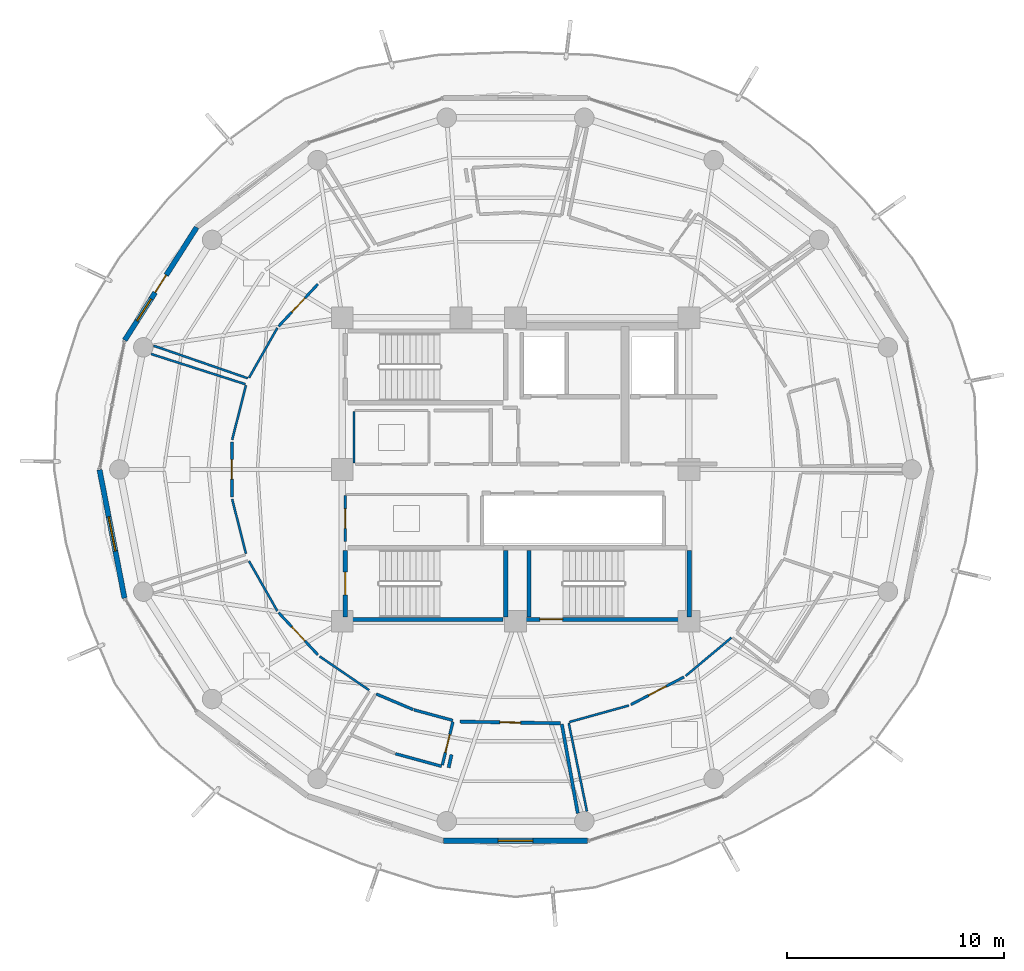
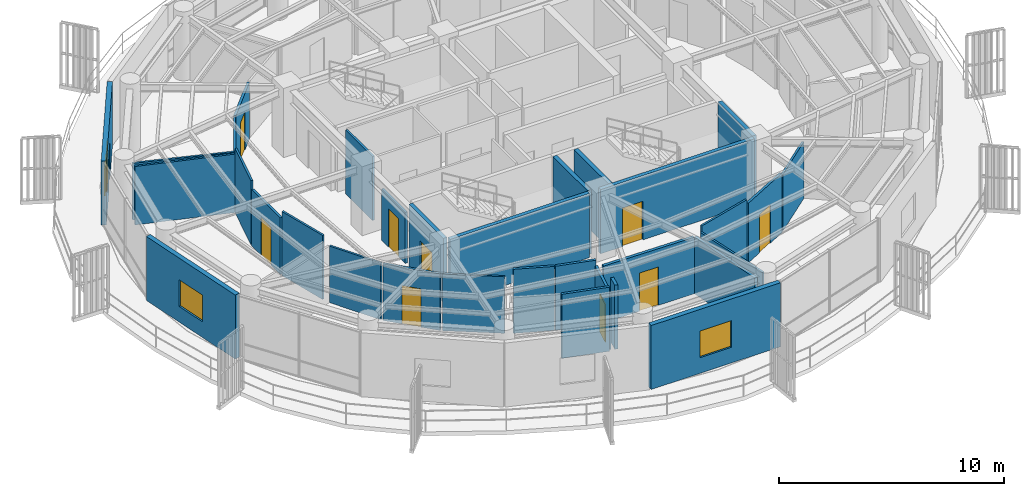
# One storey, part 17 of 24: 32 walls, 10 doors, 3 windows, 13 openings.
"""IFC4 building model written with IfcOpenShell, lengths in metres."""

from ifc_helpers import new_model, si_unit, direction, frame, frame_2d, origin, place, context, subcontext, project, spatial, rectangle, extrude, material, layer, layer_set, type_object, element, fill, save


model = new_model("IFC4")

# Units and contexts
model_context = context("Model", 3, precision=1e-05, world=origin(), true_north=direction((0.0, 1.0)))
body_context = subcontext(model_context, "Body", "Model", "MODEL_VIEW")
ifc_project = project(units=[si_unit("LENGTHUNIT", "METRE"), si_unit("AREAUNIT", "SQUARE_METRE"), si_unit("VOLUMEUNIT", "CUBIC_METRE"), si_unit("PLANEANGLEUNIT", "RADIAN"), si_unit("MASSUNIT", "GRAM", prefix="KILO")], contexts=[model_context])

# Site, building, storey
site_placement = place(None, origin())
site = spatial("IfcSite", under=ifc_project, at=site_placement, CompositionType="ELEMENT")
building_placement = place(site_placement, origin())
building = spatial("IfcBuilding", under=site, at=building_placement, Name="Kelanora Arch Commons", CompositionType="ELEMENT")
storey_placement = place(building_placement, frame((0.0, 0.0, 248.699951171875)))
storey = spatial("IfcBuildingStorey", under=building, at=storey_placement, Name="L63", CompositionType="ELEMENT", Elevation=248.699951171875)

# Wall, opening, door
ifc_material_1 = material(Name="Autoclaved aerated concrete blockwork with fire plaster", Category="masonry")
ifc_layer_1 = layer(ifc_material_1, 0.14990234375)
ifc_layer_set_1 = layer_set([ifc_layer_1], Name="Autoclaved aerated concrete blockwork with fire plaster")
wall_type_1 = type_object("IfcWallType", Name="W-COMP-150", PredefinedType="PARTITIONING", material=ifc_layer_set_1)
wall_1_placement = place(storey_placement, frame((71.44189453125, 46.365966796875, 0.0), z_axis=(0.0, 0.0, 1.0), x_axis=(0.99985475278, -0.017043278545, 0.0)))
wall_1 = element("IfcWall", 1, at=wall_1_placement, inside=storey, type_object=wall_type_1, Name="Co-Living Studio L63-07 Entry Partition", PredefinedType="PARTITIONING", context=body_context, shape_type="SweptSolid", body=[
    extrude(rectangle(XDim=4.626953125, YDim=0.14990234375, at=frame_2d((2.3134765625, 0.0))), origin(), (0.0, 0.0, 1.0), 3.074951171875),
])
opening_1_placement = place(wall_1_placement, frame((1.837890625, 0.0, 0.0)))
opening_1 = element("IfcOpeningElement", 2, at=opening_1_placement, cuts=wall_1, Name="Opening D-CLU1", PredefinedType="OPENING", context=body_context, shape_type="SweptSolid", body=[
    extrude(rectangle(XDim=0.949951171875, YDim=2.080078125, at=frame_2d((0.47509765625, 1.0400390625))), frame((0.0, 0.0849609375, 0.0), z_axis=(0.0, -1.0, 0.0), x_axis=(1.0, 0.0, 0.0)), (0.0, 0.0, 1.0), 0.169921875),
])
ifc_material_2 = material(Name="Solid-core acoustic timber cluster entry fire door", Category="wood")
door_type_1 = type_object("IfcDoorType", Name="D-CLU-95", OperationType="NOTDEFINED", PredefinedType="DOOR", material=ifc_material_2)
door_1_placement = place(opening_1_placement, origin())
door_1 = element("IfcDoor", 3, at=door_1_placement, inside=storey, type_object=door_type_1, Name="Co-Living Studio L63-07 Door", OperationType="SINGLE_SWING_LEFT", OverallHeight=2.080078125, OverallWidth=0.949951171875, PredefinedType="DOOR", context=body_context, shape_type="SweptSolid", body=[
    extrude(rectangle(XDim=0.949951171875, YDim=2.080078125, at=frame_2d((0.47509765625, 1.0400390625))), frame((0.0, 0.02490234375, 0.0), z_axis=(0.0, -1.0, 0.0), x_axis=(1.0, 0.0, 0.0)), (0.0, 0.0, 1.0), 0.050048828125),
])
fill(opening_1, door_1)

# Walls
wall_2_placement = place(storey_placement, frame((76.135009765625, 46.24658203125, 0.0), z_axis=(0.0, 0.0, 1.0), x_axis=(0.176199339585, -0.984354505618, 0.0)))
element("IfcWall", 4, at=wall_2_placement, inside=storey, type_object=wall_type_1, Name="Co-Living Studio L63-07 Enclosure Partition 2", PredefinedType="PARTITIONING", context=body_context, shape_type="SweptSolid", body=[
    extrude(rectangle(XDim=4.17626953125, YDim=0.14990234375, at=frame_2d((2.088134765625, 0.0))), origin(), (0.0, 0.0, 1.0), 3.074951171875),
])
wall_3_placement = place(storey_placement, frame((70.91064453125, 44.239990234375, 0.0), z_axis=(0.0, 0.0, 1.0), x_axis=(0.216216290924, 0.976345489844, 0.0)))
element("IfcWall", 5, at=wall_3_placement, inside=storey, type_object=wall_type_1, Name="Co-Living Studio L63-07 Enclosure Partition 7", PredefinedType="PARTITIONING", context=body_context, shape_type="SweptSolid", body=[
    extrude(rectangle(XDim=0.615478515625, YDim=0.14990234375, at=frame_2d((0.3076171875, 0.0))), origin(), (0.0, 0.0, 1.0), 3.47998046875),
])

# Wall, openings, door, window
ifc_material_3 = material(Name="Precast concrete C40/50 upper-zone terracotta rainscreen", Category="masonry")
ifc_layer_2 = layer(ifc_material_3, 0.239990234375)
ifc_layer_set_2 = layer_set([ifc_layer_2], Name="Precast concrete C40/50 upper-zone terracotta rainscreen")
wall_type_2 = type_object("IfcWallType", Name="W-EXT-TC2", PredefinedType="SOLIDWALL", material=ifc_layer_set_2)
wall_4_placement = place(storey_placement, frame((59.28369140625, 69.171875, 0.0), z_axis=(0.0, 0.0, 1.0), x_axis=(-0.537271968456, -0.843409053728, 0.0)))
wall_4 = element("IfcWall", 6, at=wall_4_placement, inside=storey, type_object=wall_type_2, Name="Terracotta Exterior Wall L63-B07", PredefinedType="SOLIDWALL", context=body_context, shape_type="SweptSolid", body=[
    extrude(rectangle(XDim=6.175048828125, YDim=0.239990234375, at=frame_2d((3.08740234375, 0.0))), origin(), (0.0, 0.0, 1.0), 3.47509765625),
])
opening_2_placement = place(wall_4_placement, frame((2.613037109375, 0.0, 0.0)))
opening_2 = element("IfcOpeningElement", 7, at=opening_2_placement, cuts=wall_4, Name="Opening DB-01", PredefinedType="OPENING", context=body_context, shape_type="SweptSolid", body=[
    extrude(rectangle(XDim=0.949951171875, YDim=2.10009765625, at=frame_2d((0.47509765625, 1.050048828125))), frame((0.0, 0.1298828125, 0.0), z_axis=(0.0, -1.0, 0.0), x_axis=(1.0, 0.0, 0.0)), (0.0, 0.0, 1.0), 0.260009765625),
])
opening_3_placement = place(wall_4_placement, frame((3.9130859375, 0.0, 0.85009765625)))
opening_3 = element("IfcOpeningElement", 8, at=opening_3_placement, cuts=wall_4, Name="Opening WN-02", PredefinedType="OPENING", context=body_context, shape_type="SweptSolid", body=[
    extrude(rectangle(XDim=1.199951171875, YDim=1.449951171875, at=frame_2d((0.60009765625, 0.72509765625))), frame((0.0, 0.1298828125, 0.0), z_axis=(0.0, -1.0, 0.0), x_axis=(1.0, 0.0, 0.0)), (0.0, 0.0, 1.0), 0.260009765625),
])
ifc_material_4 = material(Name="Terracotta-aluminium thermally broken glazed balcony door", Category="masonry")
door_type_2 = type_object("IfcDoorType", Name="D-BAL-10", OperationType="NOTDEFINED", PredefinedType="DOOR", material=ifc_material_4)
door_2_placement = place(opening_2_placement, frame((0.949951171875, 0.0, 0.0), z_axis=(0.0, 0.0, 1.0), x_axis=(-1.0, 0.0, 0.0)))
door_2 = element("IfcDoor", 9, at=door_2_placement, inside=storey, type_object=door_type_2, Name="Wave Balcony Door L63-B07", OperationType="SINGLE_SWING_LEFT", OverallHeight=2.10009765625, OverallWidth=0.949951171875, PredefinedType="DOOR", context=body_context, shape_type="SweptSolid", body=[
    extrude(rectangle(XDim=0.949951171875, YDim=2.10009765625, at=frame_2d((0.47509765625, 1.050048828125))), frame((0.0, 0.02490234375, 0.0), z_axis=(0.0, -1.0, 0.0), x_axis=(1.0, 0.0, 0.0)), (0.0, 0.0, 1.0), 0.050048828125),
])
fill(opening_2, door_2)
ifc_material_5 = material(Name="Terracotta-anodised aluminium frame with operable awning sash", Category="masonry")
window_type_1 = type_object("IfcWindowType", Name="WIN-CL-12", PartitioningType="SINGLE_PANEL", PredefinedType="WINDOW", material=ifc_material_5)
window_1_placement = place(opening_3_placement, origin())
window_1 = element("IfcWindow", 10, at=window_1_placement, inside=storey, type_object=window_type_1, Name="Co-Living Operable Window L63-B07", OverallHeight=1.449951171875, OverallWidth=1.199951171875, PartitioningType="SINGLE_PANEL", PredefinedType="WINDOW", context=body_context, shape_type="SweptSolid", body=[
    extrude(rectangle(XDim=1.199951171875, YDim=1.449951171875, at=frame_2d((0.60009765625, 0.72509765625))), frame((0.0, 0.030029296875, 0.0), z_axis=(0.0, -1.0, 0.0), x_axis=(1.0, 0.0, 0.0)), (0.0, 0.0, 1.0), 0.06005859375),
])
fill(opening_3, window_1)

# Wall, opening, window
wall_5_placement = place(storey_placement, frame((54.802978515625, 57.9853515625, 0.0), z_axis=(0.0, 0.0, 1.0), x_axis=(0.190969309115, -0.981596008028, 0.0)))
wall_5 = element("IfcWall", 11, at=wall_5_placement, inside=storey, type_object=wall_type_2, Name="Terracotta Exterior Wall L63-B09", PredefinedType="SOLIDWALL", context=body_context, shape_type="SweptSolid", body=[
    extrude(rectangle(XDim=6.032958984375, YDim=0.239990234375, at=frame_2d((3.0166015625, 0.0))), origin(), (0.0, 0.0, 1.0), 3.47509765625),
])
opening_4_placement = place(wall_5_placement, frame((2.216064453125, 0.0, 0.85009765625)))
opening_4 = element("IfcOpeningElement", 12, at=opening_4_placement, cuts=wall_5, Name="Opening WN-01", PredefinedType="OPENING", context=body_context, shape_type="SweptSolid", body=[
    extrude(rectangle(XDim=1.60009765625, YDim=1.449951171875, at=frame_2d((0.800048828125, 0.72509765625))), frame((0.0, 0.1298828125, 0.0), z_axis=(0.0, -1.0, 0.0), x_axis=(1.0, 0.0, 0.0)), (0.0, 0.0, 1.0), 0.260009765625),
])
ifc_material_6 = material(Name="Terracotta-anodised aluminium frame with operable low-E glazing", Category="masonry")
window_type_2 = type_object("IfcWindowType", Name="WIN-CL-18", PartitioningType="DOUBLE_PANEL_VERTICAL", PredefinedType="WINDOW", material=ifc_material_6)
window_2_placement = place(opening_4_placement, origin())
window_2 = element("IfcWindow", 13, at=window_2_placement, inside=storey, type_object=window_type_2, Name="Co-Living Operable Window L63-B09", OverallHeight=1.449951171875, OverallWidth=1.60009765625, PartitioningType="SINGLE_PANEL", PredefinedType="WINDOW", context=body_context, shape_type="SweptSolid", body=[
    extrude(rectangle(XDim=1.60009765625, YDim=1.449951171875, at=frame_2d((0.800048828125, 0.72509765625))), frame((0.0, 0.030029296875, 0.0), z_axis=(0.0, -1.0, 0.0), x_axis=(1.0, 0.0, 0.0)), (0.0, 0.0, 1.0), 0.06005859375),
])
fill(opening_4, window_2)

wall_6_placement = place(storey_placement, frame((70.680908203125, 40.8642578125, 0.0), z_axis=(0.0, 0.0, 1.0), x_axis=(1.0, 0.0, 0.0)))
wall_6 = element("IfcWall", 14, at=wall_6_placement, inside=storey, type_object=wall_type_2, Name="Terracotta Exterior Wall L63-B13", PredefinedType="SOLIDWALL", context=body_context, shape_type="SweptSolid", body=[
    extrude(rectangle(XDim=6.63818359375, YDim=0.239990234375, at=frame_2d((3.319091796875, 0.0))), origin(), (0.0, 0.0, 1.0), 3.47509765625),
])
opening_5_placement = place(wall_6_placement, frame((2.51904296875, 0.0, 0.85009765625)))
opening_5 = element("IfcOpeningElement", 15, at=opening_5_placement, cuts=wall_6, Name="Opening WN-01", PredefinedType="OPENING", context=body_context, shape_type="SweptSolid", body=[
    extrude(rectangle(XDim=1.60009765625, YDim=1.449951171875, at=frame_2d((0.800048828125, 0.72509765625))), frame((0.0, 0.1298828125, 0.0), z_axis=(0.0, -1.0, 0.0), x_axis=(1.0, 0.0, 0.0)), (0.0, 0.0, 1.0), 0.260009765625),
])
window_3_placement = place(opening_5_placement, origin())
window_3 = element("IfcWindow", 16, at=window_3_placement, inside=storey, type_object=window_type_2, Name="Co-Living Operable Window L63-B13", OverallHeight=1.449951171875, OverallWidth=1.60009765625, PartitioningType="SINGLE_PANEL", PredefinedType="WINDOW", context=body_context, shape_type="SweptSolid", body=[
    extrude(rectangle(XDim=1.60009765625, YDim=1.449951171875, at=frame_2d((0.800048828125, 0.72509765625))), frame((0.0, 0.030029296875, 0.0), z_axis=(0.0, -1.0, 0.0), x_axis=(1.0, 0.0, 0.0)), (0.0, 0.0, 1.0), 0.06005859375),
])
fill(opening_5, window_3)

# Walls
ifc_material_7 = material(Name="Lightweight fire-rated acoustic stud partition")
ifc_layer_3 = layer(ifc_material_7, 0.10009765625)
ifc_layer_set_3 = layer_set([ifc_layer_3], Name="Lightweight fire-rated acoustic stud partition")
wall_type_3 = type_object("IfcWallType", Name="W-PART-100", PredefinedType="PARTITIONING", material=ifc_layer_set_3)
wall_7_placement = place(storey_placement, frame((66.550048828125, 60.679931640625, 0.0), z_axis=(0.0, 0.0, 1.0), x_axis=(0.0, -1.0, 0.0)))
element("IfcWall", 17, at=wall_7_placement, inside=storey, type_object=wall_type_3, Name="Reclaimed Core Quiet Phone Booths L63 Enclosure Partition 4", PredefinedType="PARTITIONING", context=body_context, shape_type="SweptSolid", body=[
    extrude(rectangle(XDim=2.389892578125, YDim=0.10009765625, at=frame_2d((1.19482421875, 0.0))), origin(), (0.0, 0.0, 1.0), 3.47998046875),
])
wall_8_placement = place(storey_placement, frame((63.006103515625, 64.5283203125, 0.0), z_axis=(0.0, 0.0, 1.0), x_axis=(-0.494277588427, -0.869304127207, 0.0)))
element("IfcWall", 18, at=wall_8_placement, inside=storey, type_object=wall_type_3, Name="Communal Dining and Social Hall L63-04 Enclosure Partition 3", PredefinedType="PARTITIONING", context=body_context, shape_type="SweptSolid", body=[
    extrude(rectangle(XDim=2.64306640625, YDim=0.10009765625, at=frame_2d((1.321533203125, 0.0))), origin(), (0.0, 0.0, 1.0), 3.074951171875),
])
wall_9_placement = place(storey_placement, frame((61.64208984375, 62.208984375, 0.0), z_axis=(0.0, 0.0, 1.0), x_axis=(-0.945103281494, 0.326771766388, 0.0)))
element("IfcWall", 19, at=wall_9_placement, inside=storey, type_object=wall_type_3, Name="Communal Dining and Social Hall L63-04 Enclosure Partition 4", PredefinedType="PARTITIONING", context=body_context, shape_type="SweptSolid", body=[
    extrude(rectangle(XDim=4.603759765625, YDim=0.10009765625, at=frame_2d((2.3017578125, 0.0))), origin(), (0.0, 0.0, 1.0), 3.074951171875),
])
for number, where, z_axis, x_axis, name in (
    (20, (61.560302734375, 61.88427734375, 0.0), (0.0, 0.0, 1.0), (-0.245655775867, -0.969357127061, 0.0), "Social Sky Lounge L63-05 Enclosure Partition 1"),
    (21, (60.9228515625, 56.631103515625, 0.0), (0.0, 0.0, 1.0), (0.245655775867, -0.969357127061, 0.0), "Social Sky Lounge L63-05 Enclosure Partition 3"),
):
    element("IfcWall", number, at=place(storey_placement, frame(where, z_axis=z_axis, x_axis=x_axis)), inside=storey, type_object=wall_type_3, Name=name, PredefinedType="PARTITIONING", context=body_context, shape_type="SweptSolid", body=[
        extrude(rectangle(XDim=2.594970703125, YDim=0.10009765625, at=frame_2d((1.29736328125, 0.0))), origin(), (0.0, 0.0, 1.0), 3.47998046875),
    ])
wall_10_placement = place(storey_placement, frame((57.184326171875, 63.328857421875, 0.0), z_axis=(0.0, 0.0, 1.0), x_axis=(0.95227750557, -0.305233602976, 0.0)))
element("IfcWall", 22, at=wall_10_placement, inside=storey, type_object=wall_type_3, Name="Social Sky Lounge L63-05 Enclosure Partition 8", PredefinedType="PARTITIONING", context=body_context, shape_type="SweptSolid", body=[
    extrude(rectangle(XDim=4.5654296875, YDim=0.10009765625, at=frame_2d((2.28271484375, 0.0))), origin(), (0.0, 0.0, 1.0), 3.175048828125),
])
wall_11_placement = place(storey_placement, frame((61.69970703125, 53.769287109375, 0.0), z_axis=(0.0, 0.0, 1.0), x_axis=(0.494277588427, -0.869304127207, 0.0)))
element("IfcWall", 23, at=wall_11_placement, inside=storey, type_object=wall_type_3, Name="Quiet Seminar Study Room L63-06 Enclosure Partition 1", PredefinedType="PARTITIONING", context=body_context, shape_type="SweptSolid", body=[
    extrude(rectangle(XDim=2.64306640625, YDim=0.10009765625, at=frame_2d((1.321533203125, 0.0))), origin(), (0.0, 0.0, 1.0), 3.074951171875),
])
wall_12_placement = place(storey_placement, frame((64.9560546875, 49.37646484375, 0.0), z_axis=(0.0, 0.0, 1.0), x_axis=(0.826087380575, -0.563542047814, 0.0)))
element("IfcWall", 24, at=wall_12_placement, inside=storey, type_object=wall_type_3, Name="Quiet Seminar Study Room L63-06 Enclosure Partition 3", PredefinedType="PARTITIONING", context=body_context, shape_type="SweptSolid", body=[
    extrude(rectangle(XDim=2.768310546875, YDim=0.10009765625, at=frame_2d((1.38427734375, 0.0))), origin(), (0.0, 0.0, 1.0), 3.074951171875),
])
wall_13_placement = place(storey_placement, frame((76.4833984375, 46.3466796875, 0.0), z_axis=(0.0, 0.0, 1.0), x_axis=(0.963478601256, 0.267785333659, 0.0)))
element("IfcWall", 25, at=wall_13_placement, inside=storey, type_object=wall_type_3, Name="Communal Dining and Social Hall L63-08 Enclosure Partition 1", PredefinedType="PARTITIONING", context=body_context, shape_type="SweptSolid", body=[
    extrude(rectangle(XDim=2.84814453125, YDim=0.10009765625, at=frame_2d((1.424072265625, 0.0))), origin(), (0.0, 0.0, 1.0), 3.47998046875),
])
wall_14_placement = place(storey_placement, frame((81.851806640625, 48.4755859375, 0.0), z_axis=(0.0, 0.0, 1.0), x_axis=(0.767022676895, 0.641619991216, 0.0)))
element("IfcWall", 26, at=wall_14_placement, inside=storey, type_object=wall_type_3, Name="Communal Dining and Social Hall L63-08 Enclosure Partition 3", PredefinedType="PARTITIONING", context=body_context, shape_type="SweptSolid", body=[
    extrude(rectangle(XDim=2.7412109375, YDim=0.10009765625, at=frame_2d((1.37060546875, 0.0))), origin(), (0.0, 0.0, 1.0), 3.074951171875),
])
wall_15_placement = place(storey_placement, frame((77.293212890625, 42.230224609375, 0.0), z_axis=(0.0, 0.0, 1.0), x_axis=(-0.202308141573, 0.979321916355, 0.0)))
element("IfcWall", 27, at=wall_15_placement, inside=storey, type_object=wall_type_3, Name="Communal Dining and Social Hall L63-08 Enclosure Partition 8", PredefinedType="PARTITIONING", context=body_context, shape_type="SweptSolid", body=[
    extrude(rectangle(XDim=4.152587890625, YDim=0.10009765625, at=frame_2d((2.076171875, 0.0))), origin(), (0.0, 0.0, 1.0), 3.175048828125),
])

# Wall, opening, door
ifc_material_8 = material(Name="Acoustic twin-stud fire-rated gypsum partition")
ifc_layer_4 = layer(ifc_material_8, 0.1201171875)
ifc_layer_set_4 = layer_set([ifc_layer_4], Name="Acoustic twin-stud fire-rated gypsum partition")
wall_type_4 = type_object("IfcWallType", Name="W-PART-120", PredefinedType="PARTITIONING", material=ifc_layer_set_4)
wall_16_placement = place(storey_placement, frame((66.14990234375, 54.679931640625, 0.0), z_axis=(0.0, 0.0, 1.0), x_axis=(0.0, 1.0, 0.0)))
wall_16 = element("IfcWall", 28, at=wall_16_placement, inside=storey, type_object=wall_type_4, Name="Reclaimed Core High-Zone Pantry and Copy Room L63 Entry Partition", PredefinedType="PARTITIONING", context=body_context, shape_type="SweptSolid", body=[
    extrude(rectangle(XDim=2.110107421875, YDim=0.1201171875, at=frame_2d((1.05517578125, 0.0))), origin(), (0.0, 0.0, 1.0), 2.775146484375),
])
opening_6_placement = place(wall_16_placement, frame((0.60498046875, 0.0, 0.0)))
opening_6 = element("IfcOpeningElement", 29, at=opening_6_placement, cuts=wall_16, Name="Opening D-RM1", PredefinedType="OPENING", context=body_context, shape_type="SweptSolid", body=[
    extrude(rectangle(XDim=0.89990234375, YDim=2.080078125, at=frame_2d((0.449951171875, 1.0400390625))), frame((0.0, 0.070068359375, 0.0), z_axis=(0.0, -1.0, 0.0), x_axis=(1.0, 0.0, 0.0)), (0.0, 0.0, 1.0), 0.14013671875),
])
ifc_material_9 = material(Name="Acoustic fire-rated timber study and lounge door", Category="wood")
door_type_3 = type_object("IfcDoorType", Name="D-ROOM-90", OperationType="NOTDEFINED", PredefinedType="DOOR", material=ifc_material_9)
door_3_placement = place(opening_6_placement, origin())
door_3 = element("IfcDoor", 30, at=door_3_placement, inside=storey, type_object=door_type_3, Name="Reclaimed Core High-Zone Pantry and Copy Room L63 Door", OperationType="SINGLE_SWING_RIGHT", OverallHeight=2.080078125, OverallWidth=0.89990234375, PredefinedType="DOOR", context=body_context, shape_type="SweptSolid", body=[
    extrude(rectangle(XDim=0.89990234375, YDim=2.080078125, at=frame_2d((0.449951171875, 1.0400390625))), frame((0.0, 0.02490234375, 0.0), z_axis=(0.0, -1.0, 0.0), x_axis=(1.0, 0.0, 0.0)), (0.0, 0.0, 1.0), 0.050048828125),
])
fill(opening_6, door_3)

wall_17_placement = place(storey_placement, frame((64.882080078125, 66.55712890625, 0.0), z_axis=(0.0, 0.0, 1.0), x_axis=(-0.681315269885, -0.731990097625, 0.0)))
wall_17 = element("IfcWall", 31, at=wall_17_placement, inside=storey, type_object=wall_type_4, Name="Communal Dining and Social Hall L63-04 Entry Partition", PredefinedType="PARTITIONING", context=body_context, shape_type="SweptSolid", body=[
    extrude(rectangle(XDim=2.664306640625, YDim=0.1201171875, at=frame_2d((1.33203125, 0.0))), origin(), (0.0, 0.0, 1.0), 3.074951171875),
])
opening_7_placement = place(wall_17_placement, frame((0.882080078125, 0.0, 0.0)))
opening_7 = element("IfcOpeningElement", 32, at=opening_7_placement, cuts=wall_17, Name="Opening D-RM1", PredefinedType="OPENING", context=body_context, shape_type="SweptSolid", body=[
    extrude(rectangle(XDim=0.89990234375, YDim=2.080078125, at=frame_2d((0.449951171875, 1.0400390625))), frame((0.0, 0.070068359375, 0.0), z_axis=(0.0, -1.0, 0.0), x_axis=(1.0, 0.0, 0.0)), (0.0, 0.0, 1.0), 0.14013671875),
])
door_4_placement = place(opening_7_placement, origin())
door_4 = element("IfcDoor", 33, at=door_4_placement, inside=storey, type_object=door_type_3, Name="Communal Dining and Social Hall L63-04 Door", OperationType="SINGLE_SWING_LEFT", OverallHeight=2.080078125, OverallWidth=0.89990234375, PredefinedType="DOOR", context=body_context, shape_type="SweptSolid", body=[
    extrude(rectangle(XDim=0.89990234375, YDim=2.080078125, at=frame_2d((0.449951171875, 1.0400390625))), frame((0.0, 0.02490234375, 0.0), z_axis=(0.0, -1.0, 0.0), x_axis=(1.0, 0.0, 0.0)), (0.0, 0.0, 1.0), 0.050048828125),
])
fill(opening_7, door_4)

wall_18_placement = place(storey_placement, frame((60.9130859375, 59.27001953125, 0.0), z_axis=(0.0, 0.0, 1.0), x_axis=(0.0, -1.0, 0.0)))
wall_18 = element("IfcWall", 34, at=wall_18_placement, inside=storey, type_object=wall_type_4, Name="Social Sky Lounge L63-05 Entry Partition", PredefinedType="PARTITIONING", context=body_context, shape_type="SweptSolid", body=[
    extrude(rectangle(XDim=2.5400390625, YDim=0.1201171875, at=frame_2d((1.27001953125, 0.0))), origin(), (0.0, 0.0, 1.0), 3.074951171875),
])
opening_8_placement = place(wall_18_placement, frame((0.820068359375, 0.0, 0.0)))
opening_8 = element("IfcOpeningElement", 35, at=opening_8_placement, cuts=wall_18, Name="Opening D-RM1", PredefinedType="OPENING", context=body_context, shape_type="SweptSolid", body=[
    extrude(rectangle(XDim=0.89990234375, YDim=2.080078125, at=frame_2d((0.449951171875, 1.0400390625))), frame((0.0, 0.070068359375, 0.0), z_axis=(0.0, -1.0, 0.0), x_axis=(1.0, 0.0, 0.0)), (0.0, 0.0, 1.0), 0.14013671875),
])
door_5_placement = place(opening_8_placement, origin())
door_5 = element("IfcDoor", 36, at=door_5_placement, inside=storey, type_object=door_type_3, Name="Social Sky Lounge L63-05 Door", OperationType="SINGLE_SWING_RIGHT", OverallHeight=2.080078125, OverallWidth=0.89990234375, PredefinedType="DOOR", context=body_context, shape_type="SweptSolid", body=[
    extrude(rectangle(XDim=0.89990234375, YDim=2.080078125, at=frame_2d((0.449951171875, 1.0400390625))), frame((0.0, 0.02490234375, 0.0), z_axis=(0.0, -1.0, 0.0), x_axis=(1.0, 0.0, 0.0)), (0.0, 0.0, 1.0), 0.050048828125),
])
fill(opening_8, door_5)

wall_19_placement = place(storey_placement, frame((63.06689453125, 51.39306640625, 0.0), z_axis=(0.0, 0.0, 1.0), x_axis=(0.681315269885, -0.731990097625, 0.0)))
wall_19 = element("IfcWall", 37, at=wall_19_placement, inside=storey, type_object=wall_type_4, Name="Quiet Seminar Study Room L63-06 Entry Partition", PredefinedType="PARTITIONING", context=body_context, shape_type="SweptSolid", body=[
    extrude(rectangle(XDim=2.664306640625, YDim=0.1201171875, at=frame_2d((1.33203125, 0.0))), origin(), (0.0, 0.0, 1.0), 3.074951171875),
])
opening_9_placement = place(wall_19_placement, frame((0.882080078125, 0.0, 0.0)))
opening_9 = element("IfcOpeningElement", 38, at=opening_9_placement, cuts=wall_19, Name="Opening D-RM1", PredefinedType="OPENING", context=body_context, shape_type="SweptSolid", body=[
    extrude(rectangle(XDim=0.89990234375, YDim=2.080078125, at=frame_2d((0.449951171875, 1.0400390625))), frame((0.0, 0.070068359375, 0.0), z_axis=(0.0, -1.0, 0.0), x_axis=(1.0, 0.0, 0.0)), (0.0, 0.0, 1.0), 0.14013671875),
])
door_6_placement = place(opening_9_placement, origin())
door_6 = element("IfcDoor", 39, at=door_6_placement, inside=storey, type_object=door_type_3, Name="Quiet Seminar Study Room L63-06 Door", OperationType="SINGLE_SWING_LEFT", OverallHeight=2.080078125, OverallWidth=0.89990234375, PredefinedType="DOOR", context=body_context, shape_type="SweptSolid", body=[
    extrude(rectangle(XDim=0.89990234375, YDim=2.080078125, at=frame_2d((0.449951171875, 1.0400390625))), frame((0.0, 0.02490234375, 0.0), z_axis=(0.0, -1.0, 0.0), x_axis=(1.0, 0.0, 0.0)), (0.0, 0.0, 1.0), 0.050048828125),
])
fill(opening_9, door_6)

wall_20_placement = place(storey_placement, frame((79.319091796875, 47.147705078125, 0.0), z_axis=(0.0, 0.0, 1.0), x_axis=(0.887021247279, 0.461728607382, 0.0)))
wall_20 = element("IfcWall", 40, at=wall_20_placement, inside=storey, type_object=wall_type_4, Name="Communal Dining and Social Hall L63-08 Entry Partition", PredefinedType="PARTITIONING", context=body_context, shape_type="SweptSolid", body=[
    extrude(rectangle(XDim=2.7607421875, YDim=0.1201171875, at=frame_2d((1.38037109375, 0.0))), origin(), (0.0, 0.0, 1.0), 3.235107421875),
])
opening_10_placement = place(wall_20_placement, frame((0.929931640625, 0.0, 0.0)))
opening_10 = element("IfcOpeningElement", 41, at=opening_10_placement, cuts=wall_20, Name="Opening D-RM1", PredefinedType="OPENING", context=body_context, shape_type="SweptSolid", body=[
    extrude(rectangle(XDim=0.89990234375, YDim=2.080078125, at=frame_2d((0.449951171875, 1.0400390625))), frame((0.0, 0.070068359375, 0.0), z_axis=(0.0, -1.0, 0.0), x_axis=(1.0, 0.0, 0.0)), (0.0, 0.0, 1.0), 0.14013671875),
])
door_7_placement = place(opening_10_placement, origin())
door_7 = element("IfcDoor", 42, at=door_7_placement, inside=storey, type_object=door_type_3, Name="Communal Dining and Social Hall L63-08 Door", OperationType="SINGLE_SWING_RIGHT", OverallHeight=2.080078125, OverallWidth=0.89990234375, PredefinedType="DOOR", context=body_context, shape_type="SweptSolid", body=[
    extrude(rectangle(XDim=0.89990234375, YDim=2.080078125, at=frame_2d((0.449951171875, 1.0400390625))), frame((0.0, 0.02490234375, 0.0), z_axis=(0.0, -1.0, 0.0), x_axis=(1.0, 0.0, 0.0)), (0.0, 0.0, 1.0), 0.050048828125),
])
fill(opening_10, door_7)

ifc_material_10 = material(Name="Concrete C40/50", Category="concrete")
ifc_layer_5 = layer(ifc_material_10, 0.199951171875)
ifc_layer_set_5 = layer_set([ifc_layer_5], Name="Concrete C40/50")
wall_type_5 = type_object("IfcWallType", Name="W-STAIR-200", PredefinedType="SHEAR", material=ifc_layer_set_5)
wall_21_placement = place(storey_placement, frame((74.0, 51.080078125, 0.0), z_axis=(0.0, 0.0, 1.0), x_axis=(1.0, 0.0, 0.0)))
wall_21 = element("IfcWall", 43, at=wall_21_placement, inside=storey, type_object=wall_type_5, Name="Stair ST-T2 Shaft Wall S L63", PredefinedType="SHEAR", context=body_context, shape_type="SweptSolid", body=[
    extrude(rectangle(XDim=7.89990234375, YDim=0.199951171875, at=frame_2d((3.949951171875, 0.0))), origin(), (0.0, 0.0, 1.0), 3.489990234375),
])
opening_11_placement = place(wall_21_placement, frame((1.1201171875, 0.0, 0.0)))
opening_11 = element("IfcOpeningElement", 44, at=opening_11_placement, cuts=wall_21, Name="Opening D-ST1", PredefinedType="OPENING", context=body_context, shape_type="SweptSolid", body=[
    extrude(rectangle(XDim=1.050048828125, YDim=2.10009765625, at=frame_2d((0.52490234375, 1.050048828125))), frame((0.0, 0.10986328125, 0.0), z_axis=(0.0, -1.0, 0.0), x_axis=(1.0, 0.0, 0.0)), (0.0, 0.0, 1.0), 0.219970703125),
])
ifc_material_11 = material(Name="Steel fire-rated stairwell escape door", Category="steel")
door_type_4 = type_object("IfcDoorType", Name="D-STAIR-110", OperationType="NOTDEFINED", PredefinedType="DOOR", material=ifc_material_11)
door_8_placement = place(opening_11_placement, origin())
door_8 = element("IfcDoor", 45, at=door_8_placement, inside=storey, type_object=door_type_4, Name="Stair ST-T2 Escape Door L63", OperationType="SINGLE_SWING_LEFT", OverallHeight=2.10009765625, OverallWidth=1.050048828125, PredefinedType="DOOR", context=body_context, shape_type="SweptSolid", body=[
    extrude(rectangle(XDim=1.050048828125, YDim=2.10009765625, at=frame_2d((0.52490234375, 1.050048828125))), frame((0.0, 0.02490234375, 0.0), z_axis=(0.0, -1.0, 0.0), x_axis=(1.0, 0.0, 0.0)), (0.0, 0.0, 1.0), 0.050048828125),
])
fill(opening_11, door_8)

# Walls
for number, where, z_axis, x_axis, name in (
    (46, (82.02001953125, 51.199951171875, 0.0), (0.0, 0.0, 1.0), (0.0, 1.0, 0.0), "Stair ST-T2 Shaft Wall E L63"),
    (47, (74.6201171875, 54.27001953125, 0.0), (0.0, 0.0, 1.0), (0.0, -1.0, 0.0), "Stair ST-T2 Shaft Wall W L63"),
):
    element("IfcWall", number, at=place(storey_placement, frame(where, z_axis=z_axis, x_axis=x_axis)), inside=storey, type_object=wall_type_5, Name=name, PredefinedType="SHEAR", context=body_context, shape_type="SweptSolid", body=[
        extrude(rectangle(XDim=3.070068359375, YDim=0.199951171875, at=frame_2d((1.53515625, 0.0))), origin(), (0.0, 0.0, 1.0), 3.489990234375),
    ])
wall_22_placement = place(storey_placement, frame((66.260009765625, 51.080078125, 0.0), z_axis=(0.0, 0.0, 1.0), x_axis=(1.0, 0.0, 0.0)))
element("IfcWall", 48, at=wall_22_placement, inside=storey, type_object=wall_type_5, Name="Stair ST-T3 Shaft Wall S L63", PredefinedType="SHEAR", context=body_context, shape_type="SweptSolid", body=[
    extrude(rectangle(XDim=7.159912109375, YDim=0.199951171875, at=frame_2d((3.580078125, 0.0))), origin(), (0.0, 0.0, 1.0), 3.489990234375),
])
wall_23_placement = place(storey_placement, frame((73.5400390625, 51.199951171875, 0.0), z_axis=(0.0, 0.0, 1.0), x_axis=(0.0, 1.0, 0.0)))
element("IfcWall", 49, at=wall_23_placement, inside=storey, type_object=wall_type_5, Name="Stair ST-T3 Shaft Wall E L63", PredefinedType="SHEAR", context=body_context, shape_type="SweptSolid", body=[
    extrude(rectangle(XDim=3.070068359375, YDim=0.199951171875, at=frame_2d((1.53515625, 0.0))), origin(), (0.0, 0.0, 1.0), 3.489990234375),
])

# Wall, opening, door
wall_24_placement = place(storey_placement, frame((66.139892578125, 54.27001953125, 0.0), z_axis=(0.0, 0.0, 1.0), x_axis=(0.0, -1.0, 0.0)))
wall_24 = element("IfcWall", 50, at=wall_24_placement, inside=storey, type_object=wall_type_5, Name="Stair ST-T3 Shaft Wall W L63", PredefinedType="SHEAR", context=body_context, shape_type="SweptSolid", body=[
    extrude(rectangle(XDim=3.070068359375, YDim=0.199951171875, at=frame_2d((1.53515625, 0.0))), origin(), (0.0, 0.0, 1.0), 3.489990234375),
])
opening_12_placement = place(wall_24_placement, frame((1.010009765625, 0.0, 0.0)))
opening_12 = element("IfcOpeningElement", 51, at=opening_12_placement, cuts=wall_24, Name="Opening D-ST1", PredefinedType="OPENING", context=body_context, shape_type="SweptSolid", body=[
    extrude(rectangle(XDim=1.050048828125, YDim=2.10009765625, at=frame_2d((0.52490234375, 1.050048828125))), frame((0.0, 0.10986328125, 0.0), z_axis=(0.0, -1.0, 0.0), x_axis=(1.0, 0.0, 0.0)), (0.0, 0.0, 1.0), 0.219970703125),
])
door_9_placement = place(opening_12_placement, origin())
door_9 = element("IfcDoor", 52, at=door_9_placement, inside=storey, type_object=door_type_4, Name="Stair ST-T3 Escape Door L63", OperationType="SINGLE_SWING_LEFT", OverallHeight=2.10009765625, OverallWidth=1.050048828125, PredefinedType="DOOR", context=body_context, shape_type="SweptSolid", body=[
    extrude(rectangle(XDim=1.050048828125, YDim=2.10009765625, at=frame_2d((0.52490234375, 1.050048828125))), frame((0.0, 0.02490234375, 0.0), z_axis=(0.0, -1.0, 0.0), x_axis=(1.0, 0.0, 0.0)), (0.0, 0.0, 1.0), 0.050048828125),
])
fill(opening_12, door_9)

ifc_material_12 = material(Name="Moisture-resistant fire-rated cement-board plumbing wall")
ifc_layer_6 = layer(ifc_material_12, 0.1298828125)
ifc_layer_set_6 = layer_set([ifc_layer_6], Name="Moisture-resistant fire-rated cement-board plumbing wall")
wall_type_6 = type_object("IfcWallType", Name="W-WET-120", PredefinedType="PLUMBINGWALL", material=ifc_layer_set_6)
wall_25_placement = place(storey_placement, frame((71.108642578125, 46.358642578125, 0.0), z_axis=(0.0, 0.0, 1.0), x_axis=(-0.237485395018, -0.971391109262, 0.0)))
wall_25 = element("IfcWall", 53, at=wall_25_placement, inside=storey, type_object=wall_type_6, Name="En-Suite Shower WC L63-07 Entry Partition", PredefinedType="PLUMBINGWALL", context=body_context, shape_type="SweptSolid", body=[
    extrude(rectangle(XDim=2.06005859375, YDim=0.1298828125, at=frame_2d((1.030029296875, 0.0))), origin(), (0.0, 0.0, 1.0), 3.175048828125),
])
opening_13_placement = place(wall_25_placement, frame((0.60009765625, 0.0, 0.0)))
opening_13 = element("IfcOpeningElement", 54, at=opening_13_placement, cuts=wall_25, Name="Opening D-BT1", PredefinedType="OPENING", context=body_context, shape_type="SweptSolid", body=[
    extrude(rectangle(XDim=0.860107421875, YDim=2.050048828125, at=frame_2d((0.43017578125, 1.02490234375))), frame((0.0, 0.074951171875, 0.0), z_axis=(0.0, -1.0, 0.0), x_axis=(1.0, 0.0, 0.0)), (0.0, 0.0, 1.0), 0.14990234375),
])
ifc_material_13 = material(Name="Moisture-sealed fire-rated accessible bathroom door")
door_type_5 = type_object("IfcDoorType", Name="D-BATH-85", OperationType="NOTDEFINED", PredefinedType="DOOR", material=ifc_material_13)
door_10_placement = place(opening_13_placement, origin())
door_10 = element("IfcDoor", 55, at=door_10_placement, inside=storey, type_object=door_type_5, Name="En-Suite Shower WC L63-07 Door", OperationType="SINGLE_SWING_RIGHT", OverallHeight=2.050048828125, OverallWidth=0.860107421875, PredefinedType="DOOR", context=body_context, shape_type="SweptSolid", body=[
    extrude(rectangle(XDim=0.860107421875, YDim=2.050048828125, at=frame_2d((0.43017578125, 1.02490234375))), frame((0.0, 0.02490234375, 0.0), z_axis=(0.0, -1.0, 0.0), x_axis=(1.0, 0.0, 0.0)), (0.0, 0.0, 1.0), 0.050048828125),
])
fill(opening_13, door_10)

# Walls
wall_26_placement = place(storey_placement, frame((67.573486328125, 47.64111328125, 0.0), z_axis=(0.0, 0.0, 1.0), x_axis=(0.920910556575, -0.389773968845, 0.0)))
element("IfcWall", 56, at=wall_26_placement, inside=storey, type_object=wall_type_6, Name="En-Suite Shower WC L63-07 Enclosure Partition 1", PredefinedType="PLUMBINGWALL", context=body_context, shape_type="SweptSolid", body=[
    extrude(rectangle(XDim=1.8427734375, YDim=0.1298828125, at=frame_2d((0.92138671875, 0.0))), origin(), (0.0, 0.0, 1.0), 3.47998046875),
])
wall_27_placement = place(storey_placement, frame((69.308349609375, 46.909912109375, 0.0), z_axis=(0.0, 0.0, 1.0), x_axis=(0.96501774213, -0.262184586453, 0.0)))
element("IfcWall", 57, at=wall_27_placement, inside=storey, type_object=wall_type_6, Name="En-Suite Shower WC L63-07 Enclosure Partition 2", PredefinedType="PLUMBINGWALL", context=body_context, shape_type="SweptSolid", body=[
    extrude(rectangle(XDim=1.860595703125, YDim=0.1298828125, at=frame_2d((0.93017578125, 0.0))), origin(), (0.0, 0.0, 1.0), 3.47998046875),
])
wall_28_placement = place(storey_placement, frame((70.585693359375, 44.30419921875, 0.0), z_axis=(0.0, 0.0, 1.0), x_axis=(-0.96480470919, 0.262967437384, 0.0)))
element("IfcWall", 58, at=wall_28_placement, inside=storey, type_object=wall_type_6, Name="En-Suite Shower WC L63-07 Enclosure Partition 4", PredefinedType="PLUMBINGWALL", context=body_context, shape_type="SweptSolid", body=[
    extrude(rectangle(XDim=2.2041015625, YDim=0.1298828125, at=frame_2d((1.10205078125, 0.0))), origin(), (0.0, 0.0, 1.0), 3.47998046875),
])

save(model, "model.ifc")
